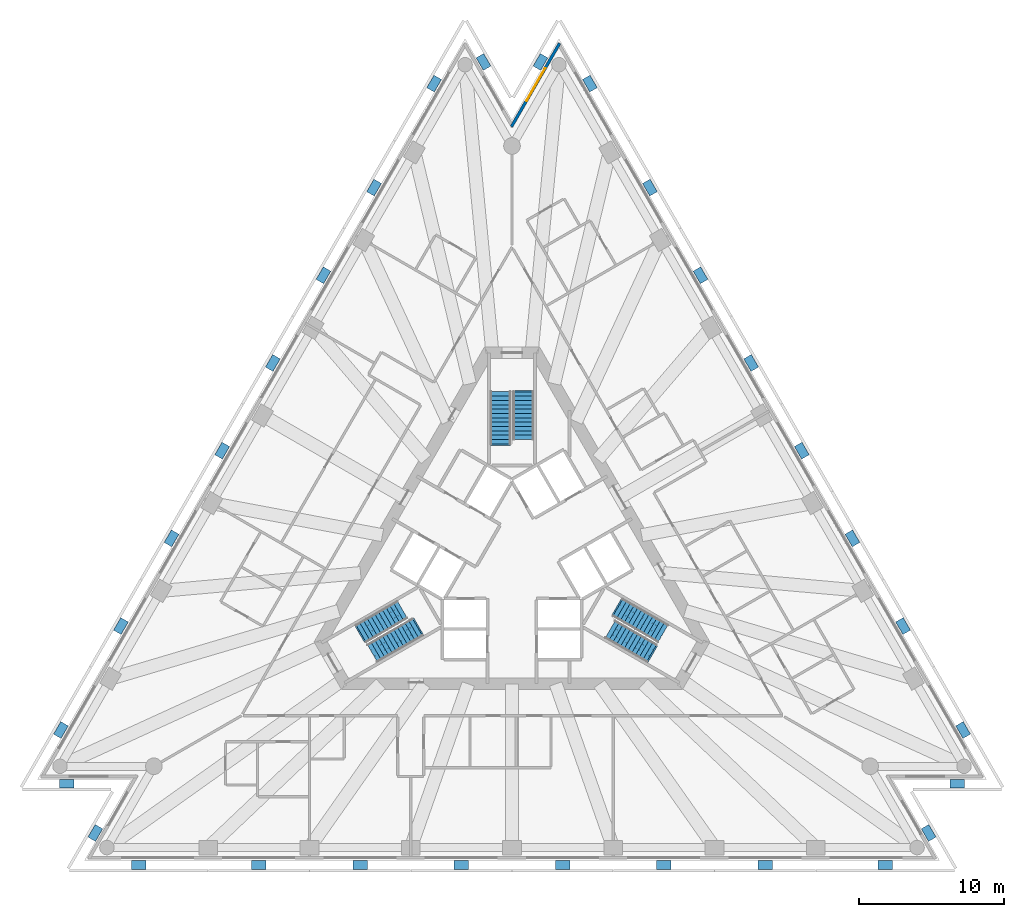
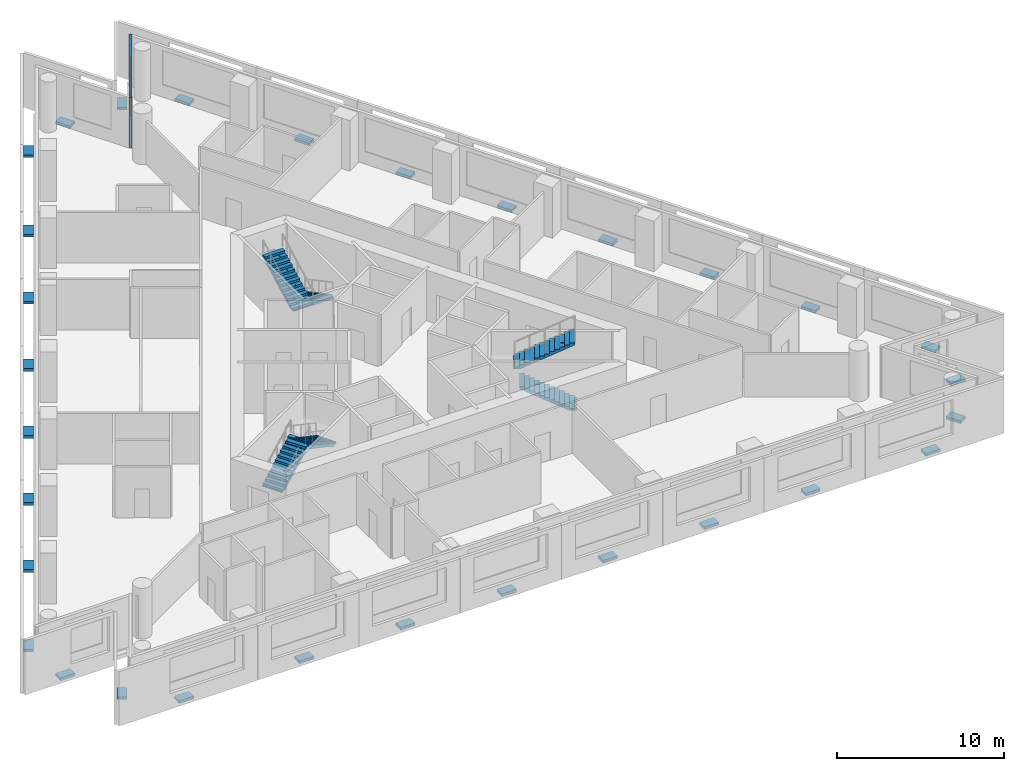
# One storey, part 8 of 10: 30 discrete accessories, 6 stair flights, 1 wall, 1 window, 1 opening, 3 elements without a shape of their own.
"""IFC4 building model written with IfcOpenShell, lengths in metres."""

from ifc_helpers import new_model, si_unit, direction, frame, frame_2d, origin, origin_2d, place, context, subcontext, project, spatial, polyline, rectangle, outline, extrude, material, layer, layer_set, layer_usage, type_object, element, fill, aggregate, save


model = new_model("IFC4")

# Units and contexts
model_context = context("Model", 3, precision=1e-05, world=origin(), true_north=direction((0.0, 1.0)))
body_context = subcontext(model_context, "Body", "Model", "MODEL_VIEW")
ifc_project = project(units=[si_unit("LENGTHUNIT", "METRE"), si_unit("AREAUNIT", "SQUARE_METRE"), si_unit("VOLUMEUNIT", "CUBIC_METRE"), si_unit("PLANEANGLEUNIT", "RADIAN"), si_unit("MASSUNIT", "GRAM", prefix="KILO")], contexts=[model_context])

# Site, building, storey
site_placement = place(None, origin())
site = spatial("IfcSite", under=ifc_project, at=site_placement, CompositionType="ELEMENT")
building_placement = place(site_placement, origin())
building = spatial("IfcBuilding", under=site, at=building_placement, Name="Triada Interchange Tower", CompositionType="ELEMENT")
storey_placement = place(building_placement, frame((0.0, 0.0, 112.300048828125)))
storey = spatial("IfcBuildingStorey", under=building, at=storey_placement, Name="L25", CompositionType="ELEMENT", Elevation=112.300048828125)

# Wall, opening, window
ifc_material_1 = material(Name="Cement board")
ifc_layer_1 = layer(ifc_material_1, 0.02001953125, Name="Cement board cladding")
ifc_material_2 = material(Name="Sheathing board")
ifc_layer_2 = layer(ifc_material_2, 0.014892578125, Name="Sheathing board")
ifc_material_3 = material(Name="Mineral wool")
ifc_layer_3 = layer(ifc_material_3, 0.14990234375, Name="Mineral wool between steel studs")
ifc_material_4 = material(Name="Gypsum board")
ifc_layer_4 = layer(ifc_material_4, 0.014892578125, Name="Plasterboard lining")
ifc_layer_set = layer_set([ifc_layer_1, ifc_layer_2, ifc_layer_3, ifc_layer_4], Name="External wall 200")
ifc_layer_usage = layer_usage(ifc_layer_set, "AXIS2", "POSITIVE", -0.10009765625)
wall_type = type_object("IfcWallType", Name="External wall 200", PredefinedType="ELEMENTEDWALL", material=ifc_layer_set)
wall_placement = place(storey_placement, frame((3.2900390625, 35.69091796875, 0.0), z_axis=(0.0, 0.0, 1.0), x_axis=(-0.49999681972, -0.866027239912, 0.0)))
wall = element("IfcWall", 1, at=wall_placement, inside=storey, type_object=wall_type, material=ifc_layer_usage, Name="External wall L25 N-1", PredefinedType="ELEMENTEDWALL", context=body_context, shape_type="SweptSolid", body=[
    extrude(rectangle(XDim=6.64990234375, YDim=0.199951171875, at=frame_2d((3.324951171875, 0.0))), origin(), (0.0, 0.0, 1.0), 3.699951171875),
])
opening_placement = place(wall_placement, frame((1.989990234375, 0.0, 0.89990234375)))
opening = element("IfcOpeningElement", 2, at=opening_placement, cuts=wall, Name="Opening WB29", PredefinedType="OPENING", context=body_context, shape_type="SweptSolid", body=[
    extrude(rectangle(XDim=2.60009765625, YDim=2.5, at=frame_2d((1.300048828125, 1.25))), frame((0.0, 0.10986328125, 0.0), z_axis=(0.0, -1.0, 0.0), x_axis=(1.0, 0.0, 0.0)), (0.0, 0.0, 1.0), 0.219970703125),
])
ifc_material_5 = material(Name="Double glazed aluminium window", Category="aluminium")
window_type = type_object("IfcWindowType", Name="Ribbon window B pocket", PartitioningType="SINGLE_PANEL", PredefinedType="WINDOW", material=ifc_material_5)
window_placement = place(opening_placement, origin())
window = element("IfcWindow", 3, at=window_placement, inside=storey, type_object=window_type, Name="Window L25 N-1 1", OverallHeight=2.5, OverallWidth=2.60009765625, PartitioningType="SINGLE_PANEL", PredefinedType="WINDOW", context=body_context, shape_type="SweptSolid", body=[
    extrude(rectangle(XDim=2.60009765625, YDim=2.5, at=frame_2d((1.300048828125, 1.25))), frame((0.0, 0.030029296875, 0.0), z_axis=(0.0, -1.0, 0.0), x_axis=(1.0, 0.0, 0.0)), (0.0, 0.0, 1.0), 0.06005859375),
])
fill(opening, window)

# Stair, stair flights
ifc_material_6 = material(Name="Concrete C35/45", Category="concrete")
stair_type = type_object("IfcStairType", Name="HALF TURN STAIR 1400", PredefinedType="HALF_TURN_STAIR", material=ifc_material_6)
stair_1_placement = place(storey_placement, origin())
stair_1 = element("IfcStair", 4, at=stair_1_placement, inside=storey, type_object=stair_type, Name="Exit stair S23-1", PredefinedType="HALF_TURN_STAIR")
stair_flight_type = type_object("IfcStairFlightType", Name="STRAIGHT STAIR FLIGHT 1400", PredefinedType="STRAIGHT", material=ifc_material_6)
stair_flight_1_placement = place(storey_placement, frame((0.800048828125, 11.60009765625, 0.0), z_axis=(0.0, 0.0, 1.0), x_axis=(0.0, -1.0, 0.0)))
stair_flight_1 = element("IfcStairFlight", 5, at=stair_flight_1_placement, type_object=stair_flight_type, Name="S23-1 flight 1", NumberOfRisers=12, NumberOfTreads=11, PredefinedType="STRAIGHT", RiserHeight=0.16, TreadLength=0.3, context=body_context, shape_type="SweptSolid", body=[
    extrude(outline(polyline([(-0.10009765625, 0.0), (-0.10009765625, 0.02001953125), (0.0, 0.02001953125), (0.0, 0.159912109375), (0.300048828125, 0.159912109375), (0.300048828125, 0.320068359375), (0.60009765625, 0.320068359375), (0.60009765625, 0.47998046875), (0.89990234375, 0.47998046875), (0.89990234375, 0.639892578125), (1.199951171875, 0.639892578125), (1.199951171875, 0.800048828125), (1.5, 0.800048828125), (1.5, 0.9599609375), (1.800048828125, 0.9599609375), (1.800048828125, 1.1201171875), (2.10009765625, 1.1201171875), (2.10009765625, 1.280029296875), (2.39990234375, 1.280029296875), (2.39990234375, 1.43994140625), (2.699951171875, 1.43994140625), (2.699951171875, 1.60009765625), (3.0, 1.60009765625), (3.0, 1.760009765625), (3.300048828125, 1.760009765625), (3.303955078125, 1.760009765625), (3.303955078125, 1.919921875), (3.303955078125, 1.590087890625), (0.318603515625, 0.0), (-0.10009765625, 0.0)])), frame((0.0, 0.699951171875, 0.0), z_axis=(0.0, -1.0, 0.0), x_axis=(1.0, 0.0, 0.0)), (0.0, 0.0, 1.0), 0.46533203125),
    extrude(outline(polyline([(-0.10009765625, 0.0), (-0.10009765625, 0.02001953125), (0.0, 0.02001953125), (0.0, 0.159912109375), (0.300048828125, 0.159912109375), (0.300048828125, 0.320068359375), (0.60009765625, 0.320068359375), (0.60009765625, 0.47998046875), (0.89990234375, 0.47998046875), (0.89990234375, 0.639892578125), (1.199951171875, 0.639892578125), (1.199951171875, 0.800048828125), (1.5, 0.800048828125), (1.5, 0.9599609375), (1.800048828125, 0.9599609375), (1.800048828125, 1.1201171875), (2.10009765625, 1.1201171875), (2.10009765625, 1.280029296875), (2.39990234375, 1.280029296875), (2.39990234375, 1.43994140625), (2.699951171875, 1.43994140625), (2.699951171875, 1.60009765625), (3.0, 1.60009765625), (3.0, 1.760009765625), (3.300048828125, 1.760009765625), (3.303955078125, 1.760009765625), (3.303955078125, 1.919921875), (3.303955078125, 1.590087890625), (0.318603515625, 0.0), (-0.10009765625, 0.0)])), frame((0.0, 0.232666015625, 0.0), z_axis=(0.0, -1.0, 0.0), x_axis=(1.0, 0.0, 0.0)), (0.0, 0.0, 1.0), 0.46533203125),
    extrude(outline(polyline([(-0.10009765625, 0.0), (-0.10009765625, 0.02001953125), (0.0, 0.02001953125), (0.0, 0.159912109375), (0.300048828125, 0.159912109375), (0.300048828125, 0.320068359375), (0.60009765625, 0.320068359375), (0.60009765625, 0.47998046875), (0.89990234375, 0.47998046875), (0.89990234375, 0.639892578125), (1.199951171875, 0.639892578125), (1.199951171875, 0.800048828125), (1.5, 0.800048828125), (1.5, 0.9599609375), (1.800048828125, 0.9599609375), (1.800048828125, 1.1201171875), (2.10009765625, 1.1201171875), (2.10009765625, 1.280029296875), (2.39990234375, 1.280029296875), (2.39990234375, 1.43994140625), (2.699951171875, 1.43994140625), (2.699951171875, 1.60009765625), (3.0, 1.60009765625), (3.0, 1.760009765625), (3.300048828125, 1.760009765625), (3.303955078125, 1.760009765625), (3.303955078125, 1.919921875), (3.303955078125, 1.590087890625), (0.318603515625, 0.0), (-0.10009765625, 0.0)])), frame((0.0, -0.234619140625, 0.0), z_axis=(0.0, -1.0, 0.0), x_axis=(1.0, 0.0, 0.0)), (0.0, 0.0, 1.0), 0.46533203125),
])
stair_flight_2_placement = place(storey_placement, frame((-0.800048828125, 8.0, 1.919921875), z_axis=(0.0, 0.0, 1.0), x_axis=(0.0, 1.0, 0.0)))
stair_flight_2 = element("IfcStairFlight", 6, at=stair_flight_2_placement, type_object=stair_flight_type, Name="S23-1 flight 2", NumberOfRisers=13, NumberOfTreads=12, PredefinedType="STRAIGHT", RiserHeight=0.16, TreadLength=0.3, context=body_context, shape_type="SweptSolid", body=[
    extrude(outline(polyline([(-0.10009765625, 0.0), (-0.10009765625, 0.02001953125), (0.0, 0.02001953125), (0.0, 0.159912109375), (0.300048828125, 0.159912109375), (0.300048828125, 0.320068359375), (0.60009765625, 0.320068359375), (0.60009765625, 0.47998046875), (0.89990234375, 0.47998046875), (0.89990234375, 0.639892578125), (1.199951171875, 0.639892578125), (1.199951171875, 0.800048828125), (1.5, 0.800048828125), (1.5, 0.9599609375), (1.800048828125, 0.9599609375), (1.800048828125, 1.1201171875), (2.10009765625, 1.1201171875), (2.10009765625, 1.280029296875), (2.39990234375, 1.280029296875), (2.39990234375, 1.43994140625), (2.699951171875, 1.43994140625), (2.699951171875, 1.60009765625), (3.0, 1.60009765625), (3.0, 1.760009765625), (3.300048828125, 1.760009765625), (3.300048828125, 1.919921875), (3.60009765625, 1.919921875), (3.60400390625, 1.919921875), (3.60400390625, 2.080078125), (3.60400390625, 1.75), (0.318603515625, 0.0), (-0.10009765625, 0.0)])), frame((0.0, 0.699951171875, 0.0), z_axis=(0.0, -1.0, 0.0), x_axis=(1.0, 0.0, 0.0)), (0.0, 0.0, 1.0), 0.46533203125),
    extrude(outline(polyline([(-0.10009765625, 0.0), (-0.10009765625, 0.02001953125), (0.0, 0.02001953125), (0.0, 0.159912109375), (0.300048828125, 0.159912109375), (0.300048828125, 0.320068359375), (0.60009765625, 0.320068359375), (0.60009765625, 0.47998046875), (0.89990234375, 0.47998046875), (0.89990234375, 0.639892578125), (1.199951171875, 0.639892578125), (1.199951171875, 0.800048828125), (1.5, 0.800048828125), (1.5, 0.9599609375), (1.800048828125, 0.9599609375), (1.800048828125, 1.1201171875), (2.10009765625, 1.1201171875), (2.10009765625, 1.280029296875), (2.39990234375, 1.280029296875), (2.39990234375, 1.43994140625), (2.699951171875, 1.43994140625), (2.699951171875, 1.60009765625), (3.0, 1.60009765625), (3.0, 1.760009765625), (3.300048828125, 1.760009765625), (3.300048828125, 1.919921875), (3.60009765625, 1.919921875), (3.60400390625, 1.919921875), (3.60400390625, 2.080078125), (3.60400390625, 1.75), (0.318603515625, 0.0), (-0.10009765625, 0.0)])), frame((0.0, 0.232666015625, 0.0), z_axis=(0.0, -1.0, 0.0), x_axis=(1.0, 0.0, 0.0)), (0.0, 0.0, 1.0), 0.46533203125),
    extrude(outline(polyline([(-0.10009765625, 0.0), (-0.10009765625, 0.02001953125), (0.0, 0.02001953125), (0.0, 0.159912109375), (0.300048828125, 0.159912109375), (0.300048828125, 0.320068359375), (0.60009765625, 0.320068359375), (0.60009765625, 0.47998046875), (0.89990234375, 0.47998046875), (0.89990234375, 0.639892578125), (1.199951171875, 0.639892578125), (1.199951171875, 0.800048828125), (1.5, 0.800048828125), (1.5, 0.9599609375), (1.800048828125, 0.9599609375), (1.800048828125, 1.1201171875), (2.10009765625, 1.1201171875), (2.10009765625, 1.280029296875), (2.39990234375, 1.280029296875), (2.39990234375, 1.43994140625), (2.699951171875, 1.43994140625), (2.699951171875, 1.60009765625), (3.0, 1.60009765625), (3.0, 1.760009765625), (3.300048828125, 1.760009765625), (3.300048828125, 1.919921875), (3.60009765625, 1.919921875), (3.60400390625, 1.919921875), (3.60400390625, 2.080078125), (3.60400390625, 1.75), (0.318603515625, 0.0), (-0.10009765625, 0.0)])), frame((0.0, -0.234619140625, 0.0), z_axis=(0.0, -1.0, 0.0), x_axis=(1.0, 0.0, 0.0)), (0.0, 0.0, 1.0), 0.46533203125),
])
aggregate(stair_1, [stair_flight_1, stair_flight_2])

stair_2_placement = place(storey_placement, origin())
stair_2 = element("IfcStair", 7, at=stair_2_placement, inside=storey, type_object=stair_type, Name="Exit stair S23-2", PredefinedType="HALF_TURN_STAIR")
stair_flight_3_placement = place(storey_placement, frame((-10.446044921875, -5.10693359375, 0.0), z_axis=(0.0, 0.0, 1.0), x_axis=(0.866025403784, 0.5, 0.0)))
stair_flight_3 = element("IfcStairFlight", 8, at=stair_flight_3_placement, type_object=stair_flight_type, Name="S23-2 flight 1", NumberOfRisers=12, NumberOfTreads=11, PredefinedType="STRAIGHT", RiserHeight=0.16, TreadLength=0.3, context=body_context, shape_type="SweptSolid", body=[
    extrude(outline(polyline([(-0.10009765625, 0.0), (-0.10009765625, 0.02001953125), (0.0, 0.02001953125), (0.0, 0.159912109375), (0.300048828125, 0.159912109375), (0.300048828125, 0.320068359375), (0.60009765625, 0.320068359375), (0.60009765625, 0.47998046875), (0.89990234375, 0.47998046875), (0.89990234375, 0.639892578125), (1.199951171875, 0.639892578125), (1.199951171875, 0.800048828125), (1.5, 0.800048828125), (1.5, 0.9599609375), (1.800048828125, 0.9599609375), (1.800048828125, 1.1201171875), (2.10009765625, 1.1201171875), (2.10009765625, 1.280029296875), (2.39990234375, 1.280029296875), (2.39990234375, 1.43994140625), (2.699951171875, 1.43994140625), (2.699951171875, 1.60009765625), (3.0, 1.60009765625), (3.0, 1.760009765625), (3.300048828125, 1.760009765625), (3.303955078125, 1.760009765625), (3.303955078125, 1.919921875), (3.303955078125, 1.590087890625), (0.318603515625, 0.0), (-0.10009765625, 0.0)])), frame((0.0, 0.699951171875, 0.0), z_axis=(0.0, -1.0, 0.0), x_axis=(1.0, 0.0, 0.0)), (0.0, 0.0, 1.0), 0.46533203125),
    extrude(outline(polyline([(-0.10009765625, 0.0), (-0.10009765625, 0.02001953125), (0.0, 0.02001953125), (0.0, 0.159912109375), (0.300048828125, 0.159912109375), (0.300048828125, 0.320068359375), (0.60009765625, 0.320068359375), (0.60009765625, 0.47998046875), (0.89990234375, 0.47998046875), (0.89990234375, 0.639892578125), (1.199951171875, 0.639892578125), (1.199951171875, 0.800048828125), (1.5, 0.800048828125), (1.5, 0.9599609375), (1.800048828125, 0.9599609375), (1.800048828125, 1.1201171875), (2.10009765625, 1.1201171875), (2.10009765625, 1.280029296875), (2.39990234375, 1.280029296875), (2.39990234375, 1.43994140625), (2.699951171875, 1.43994140625), (2.699951171875, 1.60009765625), (3.0, 1.60009765625), (3.0, 1.760009765625), (3.300048828125, 1.760009765625), (3.303955078125, 1.760009765625), (3.303955078125, 1.919921875), (3.303955078125, 1.590087890625), (0.318603515625, 0.0), (-0.10009765625, 0.0)])), frame((0.0, 0.232666015625, 0.0), z_axis=(0.0, -1.0, 0.0), x_axis=(1.0, 0.0, 0.0)), (0.0, 0.0, 1.0), 0.46533203125),
    extrude(outline(polyline([(-0.10009765625, 0.0), (-0.10009765625, 0.02001953125), (0.0, 0.02001953125), (0.0, 0.159912109375), (0.300048828125, 0.159912109375), (0.300048828125, 0.320068359375), (0.60009765625, 0.320068359375), (0.60009765625, 0.47998046875), (0.89990234375, 0.47998046875), (0.89990234375, 0.639892578125), (1.199951171875, 0.639892578125), (1.199951171875, 0.800048828125), (1.5, 0.800048828125), (1.5, 0.9599609375), (1.800048828125, 0.9599609375), (1.800048828125, 1.1201171875), (2.10009765625, 1.1201171875), (2.10009765625, 1.280029296875), (2.39990234375, 1.280029296875), (2.39990234375, 1.43994140625), (2.699951171875, 1.43994140625), (2.699951171875, 1.60009765625), (3.0, 1.60009765625), (3.0, 1.760009765625), (3.300048828125, 1.760009765625), (3.303955078125, 1.760009765625), (3.303955078125, 1.919921875), (3.303955078125, 1.590087890625), (0.318603515625, 0.0), (-0.10009765625, 0.0)])), frame((0.0, -0.234619140625, 0.0), z_axis=(0.0, -1.0, 0.0), x_axis=(1.0, 0.0, 0.0)), (0.0, 0.0, 1.0), 0.46533203125),
])
stair_flight_4_placement = place(storey_placement, frame((-6.528076171875, -4.693115234375, 1.919921875), z_axis=(0.0, 0.0, 1.0), x_axis=(-0.866025403784, -0.5, 0.0)))
stair_flight_4 = element("IfcStairFlight", 9, at=stair_flight_4_placement, type_object=stair_flight_type, Name="S23-2 flight 2", NumberOfRisers=13, NumberOfTreads=12, PredefinedType="STRAIGHT", RiserHeight=0.16, TreadLength=0.3, context=body_context, shape_type="SweptSolid", body=[
    extrude(outline(polyline([(-0.10009765625, 0.0), (-0.10009765625, 0.02001953125), (0.0, 0.02001953125), (0.0, 0.159912109375), (0.300048828125, 0.159912109375), (0.300048828125, 0.320068359375), (0.60009765625, 0.320068359375), (0.60009765625, 0.47998046875), (0.89990234375, 0.47998046875), (0.89990234375, 0.639892578125), (1.199951171875, 0.639892578125), (1.199951171875, 0.800048828125), (1.5, 0.800048828125), (1.5, 0.9599609375), (1.800048828125, 0.9599609375), (1.800048828125, 1.1201171875), (2.10009765625, 1.1201171875), (2.10009765625, 1.280029296875), (2.39990234375, 1.280029296875), (2.39990234375, 1.43994140625), (2.699951171875, 1.43994140625), (2.699951171875, 1.60009765625), (3.0, 1.60009765625), (3.0, 1.760009765625), (3.300048828125, 1.760009765625), (3.300048828125, 1.919921875), (3.60009765625, 1.919921875), (3.60400390625, 1.919921875), (3.60400390625, 2.080078125), (3.60400390625, 1.75), (0.318603515625, 0.0), (-0.10009765625, 0.0)])), frame((0.0, 0.699951171875, 0.0), z_axis=(0.0, -1.0, 0.0), x_axis=(1.0, 0.0, 0.0)), (0.0, 0.0, 1.0), 0.46533203125),
    extrude(outline(polyline([(-0.10009765625, 0.0), (-0.10009765625, 0.02001953125), (0.0, 0.02001953125), (0.0, 0.159912109375), (0.300048828125, 0.159912109375), (0.300048828125, 0.320068359375), (0.60009765625, 0.320068359375), (0.60009765625, 0.47998046875), (0.89990234375, 0.47998046875), (0.89990234375, 0.639892578125), (1.199951171875, 0.639892578125), (1.199951171875, 0.800048828125), (1.5, 0.800048828125), (1.5, 0.9599609375), (1.800048828125, 0.9599609375), (1.800048828125, 1.1201171875), (2.10009765625, 1.1201171875), (2.10009765625, 1.280029296875), (2.39990234375, 1.280029296875), (2.39990234375, 1.43994140625), (2.699951171875, 1.43994140625), (2.699951171875, 1.60009765625), (3.0, 1.60009765625), (3.0, 1.760009765625), (3.300048828125, 1.760009765625), (3.300048828125, 1.919921875), (3.60009765625, 1.919921875), (3.60400390625, 1.919921875), (3.60400390625, 2.080078125), (3.60400390625, 1.75), (0.318603515625, 0.0), (-0.10009765625, 0.0)])), frame((0.0, 0.232666015625, 0.0), z_axis=(0.0, -1.0, 0.0), x_axis=(1.0, 0.0, 0.0)), (0.0, 0.0, 1.0), 0.46533203125),
    extrude(outline(polyline([(-0.10009765625, 0.0), (-0.10009765625, 0.02001953125), (0.0, 0.02001953125), (0.0, 0.159912109375), (0.300048828125, 0.159912109375), (0.300048828125, 0.320068359375), (0.60009765625, 0.320068359375), (0.60009765625, 0.47998046875), (0.89990234375, 0.47998046875), (0.89990234375, 0.639892578125), (1.199951171875, 0.639892578125), (1.199951171875, 0.800048828125), (1.5, 0.800048828125), (1.5, 0.9599609375), (1.800048828125, 0.9599609375), (1.800048828125, 1.1201171875), (2.10009765625, 1.1201171875), (2.10009765625, 1.280029296875), (2.39990234375, 1.280029296875), (2.39990234375, 1.43994140625), (2.699951171875, 1.43994140625), (2.699951171875, 1.60009765625), (3.0, 1.60009765625), (3.0, 1.760009765625), (3.300048828125, 1.760009765625), (3.300048828125, 1.919921875), (3.60009765625, 1.919921875), (3.60400390625, 1.919921875), (3.60400390625, 2.080078125), (3.60400390625, 1.75), (0.318603515625, 0.0), (-0.10009765625, 0.0)])), frame((0.0, -0.234619140625, 0.0), z_axis=(0.0, -1.0, 0.0), x_axis=(1.0, 0.0, 0.0)), (0.0, 0.0, 1.0), 0.46533203125),
])
aggregate(stair_2, [stair_flight_3, stair_flight_4])

stair_3_placement = place(storey_placement, origin())
stair_3 = element("IfcStair", 10, at=stair_3_placement, inside=storey, type_object=stair_type, Name="Exit stair S23-3", PredefinedType="HALF_TURN_STAIR")
stair_flight_5_placement = place(storey_placement, frame((9.64599609375, -6.492919921875, 0.0), z_axis=(0.0, 0.0, 1.0), x_axis=(-0.866025403784, 0.5, 0.0)))
stair_flight_5 = element("IfcStairFlight", 11, at=stair_flight_5_placement, type_object=stair_flight_type, Name="S23-3 flight 1", NumberOfRisers=12, NumberOfTreads=11, PredefinedType="STRAIGHT", RiserHeight=0.16, TreadLength=0.3, context=body_context, shape_type="SweptSolid", body=[
    extrude(outline(polyline([(-0.10009765625, 0.0), (-0.10009765625, 0.02001953125), (0.0, 0.02001953125), (0.0, 0.159912109375), (0.300048828125, 0.159912109375), (0.300048828125, 0.320068359375), (0.60009765625, 0.320068359375), (0.60009765625, 0.47998046875), (0.89990234375, 0.47998046875), (0.89990234375, 0.639892578125), (1.199951171875, 0.639892578125), (1.199951171875, 0.800048828125), (1.5, 0.800048828125), (1.5, 0.9599609375), (1.800048828125, 0.9599609375), (1.800048828125, 1.1201171875), (2.10009765625, 1.1201171875), (2.10009765625, 1.280029296875), (2.39990234375, 1.280029296875), (2.39990234375, 1.43994140625), (2.699951171875, 1.43994140625), (2.699951171875, 1.60009765625), (3.0, 1.60009765625), (3.0, 1.760009765625), (3.300048828125, 1.760009765625), (3.303955078125, 1.760009765625), (3.303955078125, 1.919921875), (3.303955078125, 1.590087890625), (0.318603515625, 0.0), (-0.10009765625, 0.0)])), frame((0.0, 0.699951171875, 0.0), z_axis=(0.0, -1.0, 0.0), x_axis=(1.0, 0.0, 0.0)), (0.0, 0.0, 1.0), 0.46533203125),
    extrude(outline(polyline([(-0.10009765625, 0.0), (-0.10009765625, 0.02001953125), (0.0, 0.02001953125), (0.0, 0.159912109375), (0.300048828125, 0.159912109375), (0.300048828125, 0.320068359375), (0.60009765625, 0.320068359375), (0.60009765625, 0.47998046875), (0.89990234375, 0.47998046875), (0.89990234375, 0.639892578125), (1.199951171875, 0.639892578125), (1.199951171875, 0.800048828125), (1.5, 0.800048828125), (1.5, 0.9599609375), (1.800048828125, 0.9599609375), (1.800048828125, 1.1201171875), (2.10009765625, 1.1201171875), (2.10009765625, 1.280029296875), (2.39990234375, 1.280029296875), (2.39990234375, 1.43994140625), (2.699951171875, 1.43994140625), (2.699951171875, 1.60009765625), (3.0, 1.60009765625), (3.0, 1.760009765625), (3.300048828125, 1.760009765625), (3.303955078125, 1.760009765625), (3.303955078125, 1.919921875), (3.303955078125, 1.590087890625), (0.318603515625, 0.0), (-0.10009765625, 0.0)])), frame((0.0, 0.232666015625, 0.0), z_axis=(0.0, -1.0, 0.0), x_axis=(1.0, 0.0, 0.0)), (0.0, 0.0, 1.0), 0.46533203125),
    extrude(outline(polyline([(-0.10009765625, 0.0), (-0.10009765625, 0.02001953125), (0.0, 0.02001953125), (0.0, 0.159912109375), (0.300048828125, 0.159912109375), (0.300048828125, 0.320068359375), (0.60009765625, 0.320068359375), (0.60009765625, 0.47998046875), (0.89990234375, 0.47998046875), (0.89990234375, 0.639892578125), (1.199951171875, 0.639892578125), (1.199951171875, 0.800048828125), (1.5, 0.800048828125), (1.5, 0.9599609375), (1.800048828125, 0.9599609375), (1.800048828125, 1.1201171875), (2.10009765625, 1.1201171875), (2.10009765625, 1.280029296875), (2.39990234375, 1.280029296875), (2.39990234375, 1.43994140625), (2.699951171875, 1.43994140625), (2.699951171875, 1.60009765625), (3.0, 1.60009765625), (3.0, 1.760009765625), (3.300048828125, 1.760009765625), (3.303955078125, 1.760009765625), (3.303955078125, 1.919921875), (3.303955078125, 1.590087890625), (0.318603515625, 0.0), (-0.10009765625, 0.0)])), frame((0.0, -0.234619140625, 0.0), z_axis=(0.0, -1.0, 0.0), x_axis=(1.0, 0.0, 0.0)), (0.0, 0.0, 1.0), 0.46533203125),
])
stair_flight_6_placement = place(storey_placement, frame((7.327880859375, -3.306884765625, 1.919921875), z_axis=(0.0, 0.0, 1.0), x_axis=(0.866025403784, -0.5, 0.0)))
stair_flight_6 = element("IfcStairFlight", 12, at=stair_flight_6_placement, type_object=stair_flight_type, Name="S23-3 flight 2", NumberOfRisers=13, NumberOfTreads=12, PredefinedType="STRAIGHT", RiserHeight=0.16, TreadLength=0.3, context=body_context, shape_type="SweptSolid", body=[
    extrude(outline(polyline([(-0.10009765625, 0.0), (-0.10009765625, 0.02001953125), (0.0, 0.02001953125), (0.0, 0.159912109375), (0.300048828125, 0.159912109375), (0.300048828125, 0.320068359375), (0.60009765625, 0.320068359375), (0.60009765625, 0.47998046875), (0.89990234375, 0.47998046875), (0.89990234375, 0.639892578125), (1.199951171875, 0.639892578125), (1.199951171875, 0.800048828125), (1.5, 0.800048828125), (1.5, 0.9599609375), (1.800048828125, 0.9599609375), (1.800048828125, 1.1201171875), (2.10009765625, 1.1201171875), (2.10009765625, 1.280029296875), (2.39990234375, 1.280029296875), (2.39990234375, 1.43994140625), (2.699951171875, 1.43994140625), (2.699951171875, 1.60009765625), (3.0, 1.60009765625), (3.0, 1.760009765625), (3.300048828125, 1.760009765625), (3.300048828125, 1.919921875), (3.60009765625, 1.919921875), (3.60400390625, 1.919921875), (3.60400390625, 2.080078125), (3.60400390625, 1.75), (0.318603515625, 0.0), (-0.10009765625, 0.0)])), frame((0.0, 0.699951171875, 0.0), z_axis=(0.0, -1.0, 0.0), x_axis=(1.0, 0.0, 0.0)), (0.0, 0.0, 1.0), 0.46533203125),
    extrude(outline(polyline([(-0.10009765625, 0.0), (-0.10009765625, 0.02001953125), (0.0, 0.02001953125), (0.0, 0.159912109375), (0.300048828125, 0.159912109375), (0.300048828125, 0.320068359375), (0.60009765625, 0.320068359375), (0.60009765625, 0.47998046875), (0.89990234375, 0.47998046875), (0.89990234375, 0.639892578125), (1.199951171875, 0.639892578125), (1.199951171875, 0.800048828125), (1.5, 0.800048828125), (1.5, 0.9599609375), (1.800048828125, 0.9599609375), (1.800048828125, 1.1201171875), (2.10009765625, 1.1201171875), (2.10009765625, 1.280029296875), (2.39990234375, 1.280029296875), (2.39990234375, 1.43994140625), (2.699951171875, 1.43994140625), (2.699951171875, 1.60009765625), (3.0, 1.60009765625), (3.0, 1.760009765625), (3.300048828125, 1.760009765625), (3.300048828125, 1.919921875), (3.60009765625, 1.919921875), (3.60400390625, 1.919921875), (3.60400390625, 2.080078125), (3.60400390625, 1.75), (0.318603515625, 0.0), (-0.10009765625, 0.0)])), frame((0.0, 0.232666015625, 0.0), z_axis=(0.0, -1.0, 0.0), x_axis=(1.0, 0.0, 0.0)), (0.0, 0.0, 1.0), 0.46533203125),
    extrude(outline(polyline([(-0.10009765625, 0.0), (-0.10009765625, 0.02001953125), (0.0, 0.02001953125), (0.0, 0.159912109375), (0.300048828125, 0.159912109375), (0.300048828125, 0.320068359375), (0.60009765625, 0.320068359375), (0.60009765625, 0.47998046875), (0.89990234375, 0.47998046875), (0.89990234375, 0.639892578125), (1.199951171875, 0.639892578125), (1.199951171875, 0.800048828125), (1.5, 0.800048828125), (1.5, 0.9599609375), (1.800048828125, 0.9599609375), (1.800048828125, 1.1201171875), (2.10009765625, 1.1201171875), (2.10009765625, 1.280029296875), (2.39990234375, 1.280029296875), (2.39990234375, 1.43994140625), (2.699951171875, 1.43994140625), (2.699951171875, 1.60009765625), (3.0, 1.60009765625), (3.0, 1.760009765625), (3.300048828125, 1.760009765625), (3.300048828125, 1.919921875), (3.60009765625, 1.919921875), (3.60400390625, 1.919921875), (3.60400390625, 2.080078125), (3.60400390625, 1.75), (0.318603515625, 0.0), (-0.10009765625, 0.0)])), frame((0.0, -0.234619140625, 0.0), z_axis=(0.0, -1.0, 0.0), x_axis=(1.0, 0.0, 0.0)), (0.0, 0.0, 1.0), 0.46533203125),
])
aggregate(stair_3, [stair_flight_5, stair_flight_6])

# Discrete accessories
ifc_material_7 = material(Name="Steel S355", Category="steel")
discrete_accessory_type = type_object("IfcDiscreteAccessoryType", Name="Steel bracket outer skin", PredefinedType="BRACKET", material=ifc_material_7)
for number, where, z_axis, x_axis, name in (
    (13, (-5.385009765625, 32.906005859375, -0.27001953125), (0.0, 0.0, 1.0), (-0.866021965465, 0.500005955296, 0.0), "Bracket L25 01"),
    (14, (-9.535888671875, 25.718017578125, -0.27001953125), (0.0, 0.0, 1.0), (-0.866021965465, 0.500005955296, 0.0), "Bracket L25 02"),
    (15, (-13.035888671875, 19.654052734375, -0.27001953125), (0.0, 0.0, 1.0), (-0.866021965465, 0.500005955296, 0.0), "Bracket L25 03"),
    (16, (-16.537109375, 13.590087890625, -0.27001953125), (0.0, 0.0, 1.0), (-0.866021965465, 0.500005955296, 0.0), "Bracket L25 04"),
    (17, (-20.0380859375, 7.527099609375, -0.27001953125), (0.0, 0.0, 1.0), (-0.866021965465, 0.500005955296, 0.0), "Bracket L25 05"),
    (18, (-23.5390625, 1.462890625, -0.27001953125), (0.0, 0.0, 1.0), (-0.866021965465, 0.500005955296, 0.0), "Bracket L25 06"),
    (19, (-27.0400390625, -4.60107421875, -0.27001953125), (0.0, 0.0, 1.0), (-0.866021965465, 0.500005955296, 0.0), "Bracket L25 07"),
    (20, (-31.18994140625, -11.7890625, -0.27001953125), (0.0, 0.0, 1.0), (-0.866021965465, 0.500005955296, 0.0), "Bracket L25 08"),
    (21, (-30.778076171875, -15.49609375, -0.27001953125), (0.0, 0.0, 1.0), (0.0, -1.0, 0.0), "Bracket L25 09"),
    (22, (-28.80908203125, -18.906982421875, -0.27001953125), (0.0, 0.0, 1.0), (-0.866044470877, 0.499966973373, 0.0), "Bracket L25 10"),
    (23, (-25.804931640625, -21.116943359375, -0.27001953125), (0.0, 0.0, 1.0), (0.0, -1.0, 0.0), "Bracket L25 11"),
    (24, (-17.50390625, -21.116943359375, -0.27001953125), (0.0, 0.0, 1.0), (0.0, -1.0, 0.0), "Bracket L25 12"),
    (25, (-10.5029296875, -21.116943359375, -0.27001953125), (0.0, 0.0, 1.0), (0.0, -1.0, 0.0), "Bracket L25 13"),
    (26, (-3.5009765625, -21.116943359375, -0.27001953125), (0.0, 0.0, 1.0), (0.0, -1.0, 0.0), "Bracket L25 14"),
    (27, (3.5009765625, -21.116943359375, -0.27001953125), (0.0, 0.0, 1.0), (0.0, -1.0, 0.0), "Bracket L25 15"),
    (28, (10.5029296875, -21.116943359375, -0.27001953125), (0.0, 0.0, 1.0), (0.0, -1.0, 0.0), "Bracket L25 16"),
    (29, (17.50390625, -21.116943359375, -0.27001953125), (0.0, 0.0, 1.0), (0.0, -1.0, 0.0), "Bracket L25 17"),
    (30, (25.804931640625, -21.116943359375, -0.27001953125), (0.0, 0.0, 1.0), (0.0, -1.0, 0.0), "Bracket L25 18"),
    (31, (28.80908203125, -18.906982421875, -0.27001953125), (0.0, 0.0, 1.0), (0.866044470877, 0.499966973373, 0.0), "Bracket L25 19"),
    (32, (30.778076171875, -15.49609375, -0.27001953125), (0.0, 0.0, 1.0), (0.0, -1.0, 0.0), "Bracket L25 20"),
    (33, (31.18994140625, -11.7890625, -0.27001953125), (0.0, 0.0, 1.0), (0.866021965465, 0.500005955296, 0.0), "Bracket L25 21"),
    (34, (27.0400390625, -4.60107421875, -0.27001953125), (0.0, 0.0, 1.0), (0.866021965465, 0.500005955296, 0.0), "Bracket L25 22"),
    (35, (23.5390625, 1.462890625, -0.27001953125), (0.0, 0.0, 1.0), (0.866021965465, 0.500005955296, 0.0), "Bracket L25 23"),
    (36, (20.0380859375, 7.527099609375, -0.27001953125), (0.0, 0.0, 1.0), (0.866021965465, 0.500005955296, 0.0), "Bracket L25 24"),
    (37, (16.537109375, 13.590087890625, -0.27001953125), (0.0, 0.0, 1.0), (0.866021965465, 0.500005955296, 0.0), "Bracket L25 25"),
    (38, (13.035888671875, 19.654052734375, -0.27001953125), (0.0, 0.0, 1.0), (0.866021965465, 0.500005955296, 0.0), "Bracket L25 26"),
    (39, (9.535888671875, 25.718017578125, -0.27001953125), (0.0, 0.0, 1.0), (0.866021965465, 0.500005955296, 0.0), "Bracket L25 27"),
    (40, (5.385009765625, 32.906005859375, -0.27001953125), (0.0, 0.0, 1.0), (0.866021965465, 0.500005955296, 0.0), "Bracket L25 28"),
    (41, (1.968994140625, 34.403076171875, -0.27001953125), (0.0, 0.0, 1.0), (-0.866005951435, 0.500033690945, 0.0), "Bracket L25 29"),
    (42, (-1.968994140625, 34.403076171875, -0.27001953125), (0.0, 0.0, 1.0), (0.866005951435, 0.500033690945, 0.0), "Bracket L25 30"),
):
    element("IfcDiscreteAccessory", number, at=place(storey_placement, frame(where, z_axis=z_axis, x_axis=x_axis)), inside=storey, type_object=discrete_accessory_type, Name=name, PredefinedType="BRACKET", context=body_context, shape_type="SweptSolid", body=[
        extrude(rectangle(XDim=0.60009765625, YDim=1.0, at=origin_2d()), origin(), (0.0, 0.0, 1.0), 0.199951171875),
    ])

save(model, "model.ifc")
